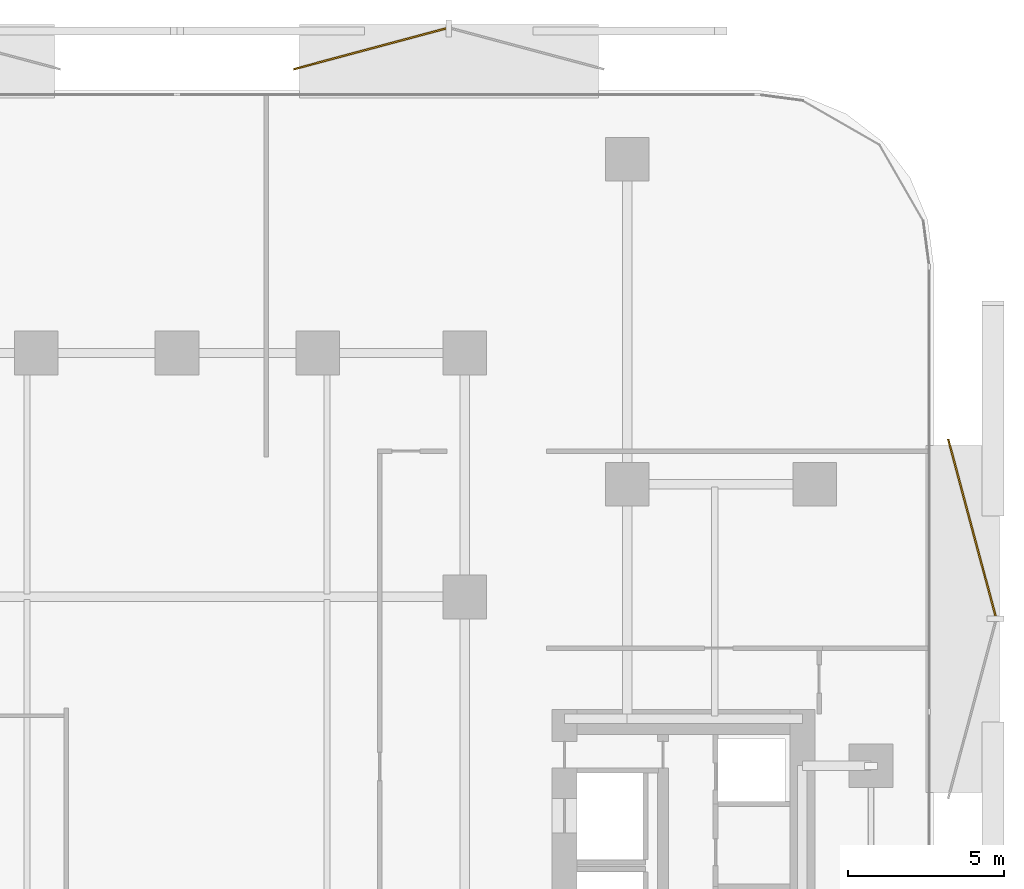
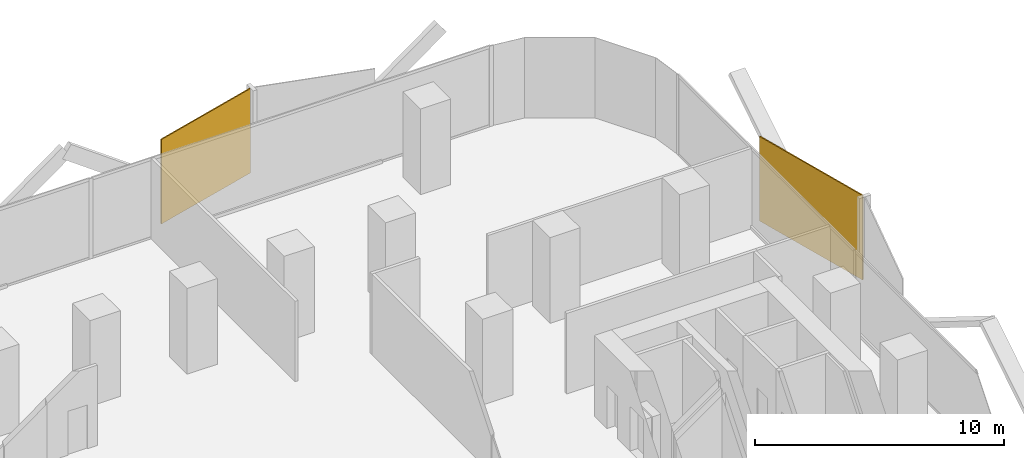
# One storey, part 15 of 15: 2 coverings.
"""IFC4 building model written with IfcOpenShell, lengths in metres."""

from ifc_helpers import new_model, si_unit, direction, frame, origin, origin_2d, place, context, subcontext, project, spatial, rectangle, extrude, material, layer, layer_set, type_object, element, save


model = new_model("IFC4")

# Units and contexts
model_context = context("Model", 3, precision=1e-05, world=origin(), true_north=direction((0.0, 1.0)))
body_context = subcontext(model_context, "Body", "Model", "MODEL_VIEW")
ifc_project = project(units=[si_unit("LENGTHUNIT", "METRE"), si_unit("AREAUNIT", "SQUARE_METRE"), si_unit("VOLUMEUNIT", "CUBIC_METRE"), si_unit("PLANEANGLEUNIT", "RADIAN"), si_unit("MASSUNIT", "GRAM", prefix="KILO")], contexts=[model_context])

# Site, building, storey
site_placement = place(None, origin())
site = spatial("IfcSite", under=ifc_project, at=site_placement, CompositionType="ELEMENT")
building_placement = place(site_placement, origin())
building = spatial("IfcBuilding", under=site, at=building_placement, Name="Khairoan Windgate Tower", CompositionType="ELEMENT")
storey_placement = place(building_placement, frame((0.0, 0.0, 34.39990234375)))
storey = spatial("IfcBuildingStorey", under=building, at=storey_placement, Name="L08", CompositionType="ELEMENT", Elevation=34.39990234375)

# Coverings
ifc_material = material(Name="Anodised Bronze Aluminium 6063-T6", Category="aluminium")
ifc_layer = layer(ifc_material, 0.054931640625, Name="Anodised Bronze Aluminium 6063-T6")
ifc_layer_set = layer_set([ifc_layer], Name="Anodised Bronze Aluminium 6063-T6")
covering_type = type_object("IfcCoveringType", Name="Perforated Bronze-Ceramic Folded Solar Screen Cladding BSC-1", PredefinedType="CLADDING", material=ifc_layer_set)
covering_1_placement = place(storey_placement, frame((6.169921875, 28.327392578125, -0.099609375), z_axis=(0.0, 0.0, 1.0), x_axis=(0.965925826289, 0.258819045103, 0.0)))
element("IfcCovering", 1, at=covering_1_placement, inside=storey, type_object=covering_type, Name="L08 Folded Bronze Solar Screen Facet 22L", PredefinedType="CLADDING", context=body_context, shape_type="SweptSolid", body=[
    extrude(rectangle(XDim=5.04296875, YDim=0.054931640625, at=origin_2d()), origin(), (0.0, 0.0, 1.0), 4.139892578125),
])
covering_2_placement = place(storey_placement, frame((25.42236328125, 13.01318359375, -0.099609375), z_axis=(0.0, 0.0, 1.0), x_axis=(0.258819045103, -0.965925826289, 0.0)))
element("IfcCovering", 2, at=covering_2_placement, inside=storey, type_object=covering_type, Name="L08 Folded Bronze Solar Screen Facet 23L", PredefinedType="CLADDING", context=body_context, shape_type="SweptSolid", body=[
    extrude(rectangle(XDim=5.85498046875, YDim=0.054931640625, at=origin_2d()), origin(), (0.0, 0.0, 1.0), 4.139892578125),
])

save(model, "model.ifc")
